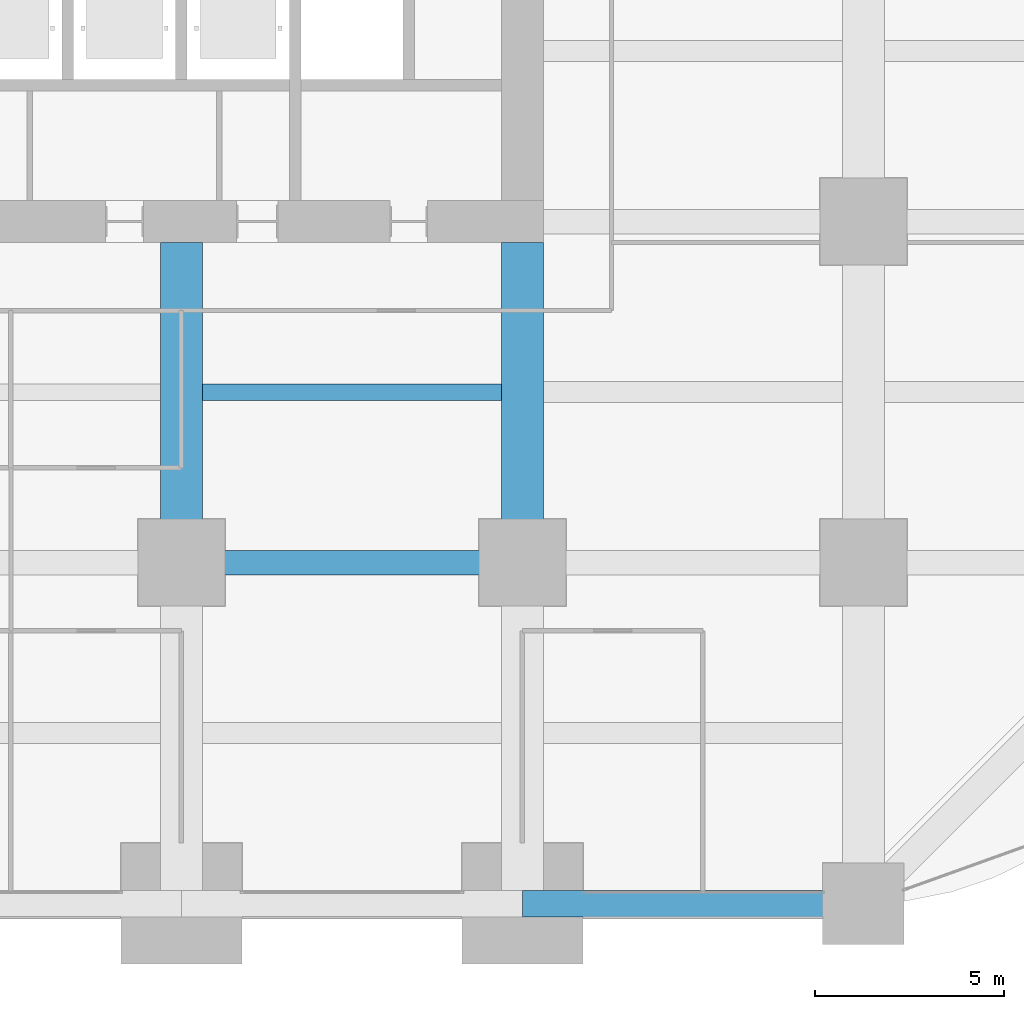
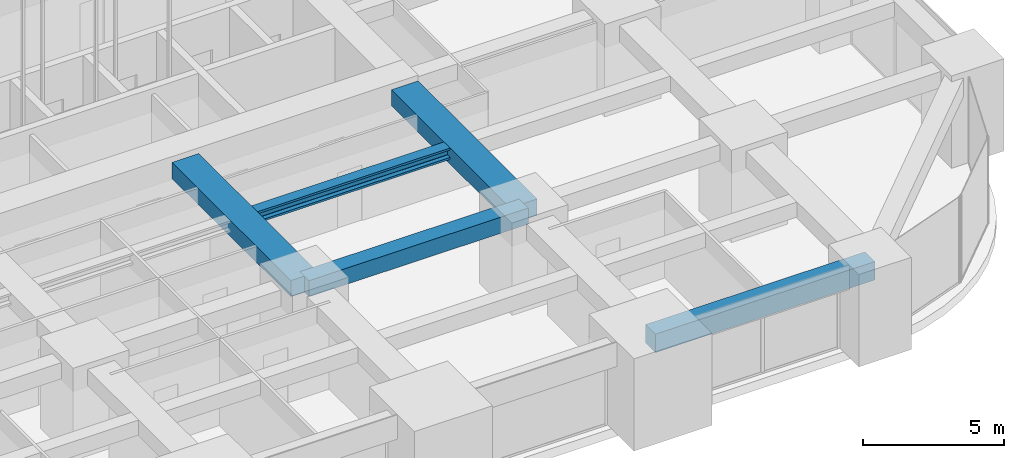
# One storey, part 15 of 50: 5 beams.
"""IFC4 building model written with IfcOpenShell, lengths in metres."""

from ifc_helpers import new_model, si_unit, direction, frame, origin, origin_2d, place, context, subcontext, project, spatial, rectangle, i_section, extrude, material, material_profile, profile_set, type_object, element, save


model = new_model("IFC4")

# Units and contexts
model_context = context("Model", 3, precision=1e-05, world=origin(), true_north=direction((0.0, 1.0)))
body_context = subcontext(model_context, "Body", "Model", "MODEL_VIEW")
ifc_project = project(units=[si_unit("LENGTHUNIT", "METRE"), si_unit("AREAUNIT", "SQUARE_METRE"), si_unit("VOLUMEUNIT", "CUBIC_METRE"), si_unit("PLANEANGLEUNIT", "RADIAN"), si_unit("MASSUNIT", "GRAM", prefix="KILO")], contexts=[model_context])

# Site, building, storey
site_placement = place(None, origin())
site = spatial("IfcSite", under=ifc_project, at=site_placement, CompositionType="ELEMENT")
building_placement = place(site_placement, origin())
building = spatial("IfcBuilding", under=site, at=building_placement, Name="Zorevar Civic Tower", CompositionType="ELEMENT")
storey_placement = place(building_placement, frame((0.0, 0.0, 85.0)))
storey = spatial("IfcBuildingStorey", under=building, at=storey_placement, Name="L20", CompositionType="ELEMENT", Elevation=85.0)

# Beams
ifc_material_1 = material(Name="Concrete C50/60", Category="concrete")
ifc_material_profile_1 = material_profile(ifc_material_1, rectangle(XDim=1.10009765625, YDim=0.699951171875, at=origin_2d()), Name="RC 1100x700")
ifc_profile_set_1 = profile_set([ifc_material_profile_1], Name="Concrete C50/60")
beam_type_1 = type_object("IfcBeamType", Name="Beam RC 1100x700", PredefinedType="BEAM", material=ifc_profile_set_1)
for number, where, z_axis, x_axis, name in (
    (1, (36.0, 9.0, 3.39990234375), (0.0, 1.0, 0.0), (-1.0, 0.0, 0.0), "Girder L21"),
    (2, (45.0, 9.0, 3.39990234375), (0.0, 1.0, 0.0), (-1.0, 0.0, 0.0), "Girder L21"),
):
    element("IfcBeam", number, at=place(storey_placement, frame(where, z_axis=z_axis, x_axis=x_axis)), inside=storey, type_object=beam_type_1, Name=name, PredefinedType="BEAM", context=body_context, shape_type="SweptSolid", body=[
        extrude(rectangle(XDim=1.10009765625, YDim=0.699951171875, at=origin_2d()), origin(), (0.0, 0.0, 1.0), 8.449951171875),
    ])
ifc_material_2 = material(Name="Concrete C50/60", Category="concrete")
ifc_material_profile_2 = material_profile(ifc_material_2, rectangle(XDim=0.64990234375, YDim=0.699951171875, at=origin_2d()), Name="RC 650x700")
ifc_profile_set_2 = profile_set([ifc_material_profile_2], Name="Concrete C50/60")
beam_type_2 = type_object("IfcBeamType", Name="Beam RC 650x700", PredefinedType="BEAM", material=ifc_profile_set_2)
beam_1_placement = place(storey_placement, frame((36.0, 9.0, 3.39990234375), z_axis=(1.0, 0.0, 0.0), x_axis=(0.0, 1.0, 0.0)))
element("IfcBeam", 3, at=beam_1_placement, inside=storey, type_object=beam_type_2, Name="Girder L21", PredefinedType="BEAM", context=body_context, shape_type="SweptSolid", body=[
    extrude(rectangle(XDim=0.64990234375, YDim=0.699951171875, at=origin_2d()), origin(), (0.0, 0.0, 1.0), 9.0),
])
ifc_material_3 = material(Name="Steel S460M (HISTAR 460)", Category="steel")
ifc_material_profile_3 = material_profile(ifc_material_3, i_section(OverallWidth=0.431884765625, OverallDepth=0.498046875, WebThickness=0.0556640625, FlangeThickness=0.0888671875, FilletRadius=0.014892578125, at=origin_2d()), Name="HD 400x744")
ifc_profile_set_3 = profile_set([ifc_material_profile_3], Name="Steel S460M (HISTAR 460)")
beam_type_3 = type_object("IfcBeamType", Name="Core bay beam HD 400x744", PredefinedType="BEAM", material=ifc_profile_set_3)
beam_2_placement = place(storey_placement, frame((36.550048828125, 13.5, 3.5009765625), z_axis=(1.0, 0.0, 0.0), x_axis=(0.0, 1.0, 0.0)))
element("IfcBeam", 4, at=beam_2_placement, inside=storey, type_object=beam_type_3, Name="Secondary beam L21", PredefinedType="BEAM", context=body_context, shape_type="SweptSolid", body=[
    extrude(i_section(OverallWidth=0.431884765625, OverallDepth=0.498046875, WebThickness=0.0556640625, FlangeThickness=0.0888671875, FilletRadius=0.014892578125, at=origin_2d()), origin(), (0.0, 0.0, 1.0), 7.89990234375),
])
ifc_material_4 = material(Name="Concrete C50/60", Category="concrete")
ifc_material_profile_4 = material_profile(ifc_material_4, rectangle(XDim=0.699951171875, YDim=0.800048828125, at=origin_2d()), Name="RC 700x800")
ifc_profile_set_4 = profile_set([ifc_material_profile_4], Name="Concrete C50/60")
beam_type_4 = type_object("IfcBeamType", Name="Edge beam RC 700x800", PredefinedType="SPANDREL", material=ifc_profile_set_4)
beam_3_placement = place(storey_placement, frame((45.0, 0.0, 3.35009765625), z_axis=(1.0, 0.0, 0.0), x_axis=(0.0, 1.0, 0.0)))
element("IfcBeam", 5, at=beam_3_placement, inside=storey, type_object=beam_type_4, Name="Edge beam L21", PredefinedType="SPANDREL", context=body_context, shape_type="SweptSolid", body=[
    extrude(rectangle(XDim=0.699951171875, YDim=0.800048828125, at=origin_2d()), origin(), (0.0, 0.0, 1.0), 9.0),
])

save(model, "model.ifc")
